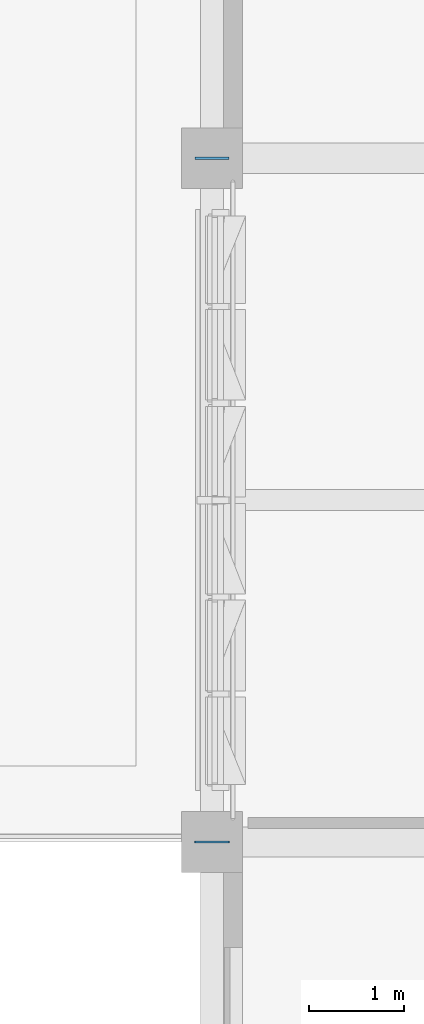
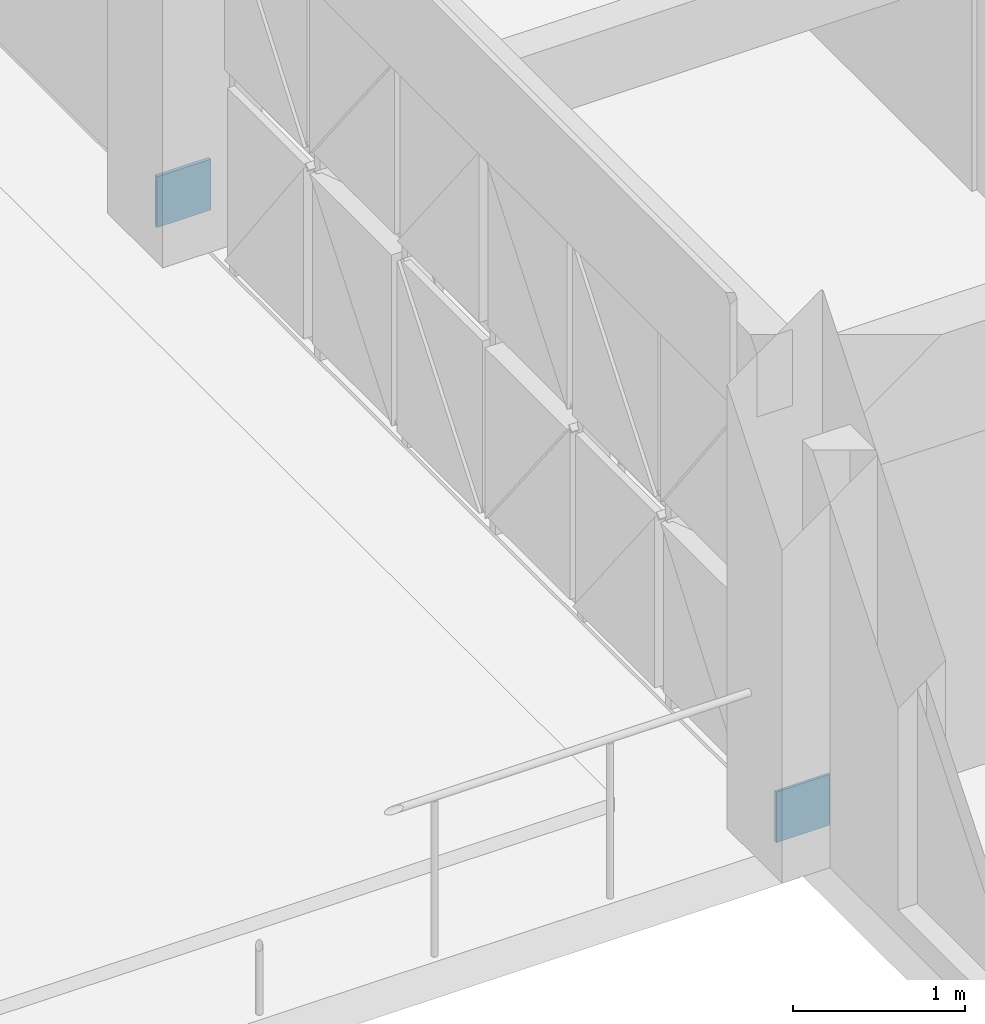
# One storey, part 42 of 85: 2 plates.
"""IFC4 building model written with IfcOpenShell, lengths in metres."""

from ifc_helpers import new_model, si_unit, direction, frame, origin, place, context, subcontext, project, spatial, polyline, outline, extrude, material, layer, layer_set, type_object, element, save


model = new_model("IFC4")

# Units and contexts
model_context = context("Model", 3, precision=1e-05, world=origin(), true_north=direction((0.0, 1.0)))
body_context = subcontext(model_context, "Body", "Model", "MODEL_VIEW")
ifc_project = project(units=[si_unit("LENGTHUNIT", "METRE"), si_unit("AREAUNIT", "SQUARE_METRE"), si_unit("VOLUMEUNIT", "CUBIC_METRE"), si_unit("PLANEANGLEUNIT", "RADIAN"), si_unit("MASSUNIT", "GRAM", prefix="KILO")], contexts=[model_context])

# Site, building, storey
site_placement = place(None, origin())
site = spatial("IfcSite", under=ifc_project, at=site_placement, CompositionType="ELEMENT")
building_placement = place(site_placement, origin())
building = spatial("IfcBuilding", under=site, at=building_placement, Name="Alvorim Cloister Faculty of Sciences", CompositionType="ELEMENT")
storey_placement = place(building_placement, frame((0.0, 0.0, 8.550048828125)))
storey = spatial("IfcBuildingStorey", under=building, at=storey_placement, Name="L02", CompositionType="ELEMENT", Elevation=8.550048828125)

# Plates
ifc_material = material(Name="Steel ASTM A572 Grade 50", Category="steel")
ifc_layer_1 = layer(ifc_material, 0.02490234375)
ifc_layer_set_1 = layer_set([ifc_layer_1], Name="Steel ASTM A572 Grade 50")
plate_type_1 = type_object("IfcPlateType", Name="PL-KNIFE-25", PredefinedType="SHEET", material=ifc_layer_set_1)
plate_1_placement = place(storey_placement, frame((7.02001953125, 28.800048828125, 0.050048828125), z_axis=(0.0, 0.0, 1.0), x_axis=(1.0, 0.0, 0.0)))
element("IfcPlate", 1, at=plate_1_placement, inside=storey, type_object=plate_type_1, Name="Glulam-Steel Knife Connection Plate 2", PredefinedType="SHEET", context=body_context, shape_type="SweptSolid", body=[
    extrude(outline(polyline([(0.0, 0.0), (0.360107421875, 0.0), (0.360107421875, 0.35986328125), (0.0, 0.35986328125), (0.0, 0.0)])), frame((0.0, 0.012451171875, 0.0), z_axis=(0.0, -1.0, 0.0), x_axis=(1.0, 0.0, 0.0)), (0.0, 0.0, 1.0), 0.02490234375),
])
ifc_layer_2 = layer(ifc_material, 0.01806640625)
ifc_layer_set_2 = layer_set([ifc_layer_2], Name="Steel ASTM A572 Grade 50")
plate_type_2 = type_object("IfcPlateType", Name="PL-SPLICE-18", PredefinedType="SHEET", material=ifc_layer_set_2)
plate_2_placement = place(storey_placement, frame((7.02001953125, 21.60009765625, 0.050048828125), z_axis=(0.0, 0.0, 1.0), x_axis=(1.0, 0.0, 0.0)))
element("IfcPlate", 2, at=plate_2_placement, inside=storey, type_object=plate_type_2, Name="Glulam-Steel Knife Connection Plate 1", PredefinedType="SHEET", context=body_context, shape_type="SweptSolid", body=[
    extrude(outline(polyline([(0.0, 0.0), (0.360107421875, 0.0), (0.360107421875, 0.35986328125), (0.0, 0.35986328125), (0.0, 0.0)])), frame((0.0, 0.009033203125, 0.0), z_axis=(0.0, -1.0, 0.0), x_axis=(1.0, 0.0, 0.0)), (0.0, 0.0, 1.0), 0.01806640625),
])

save(model, "model.ifc")
